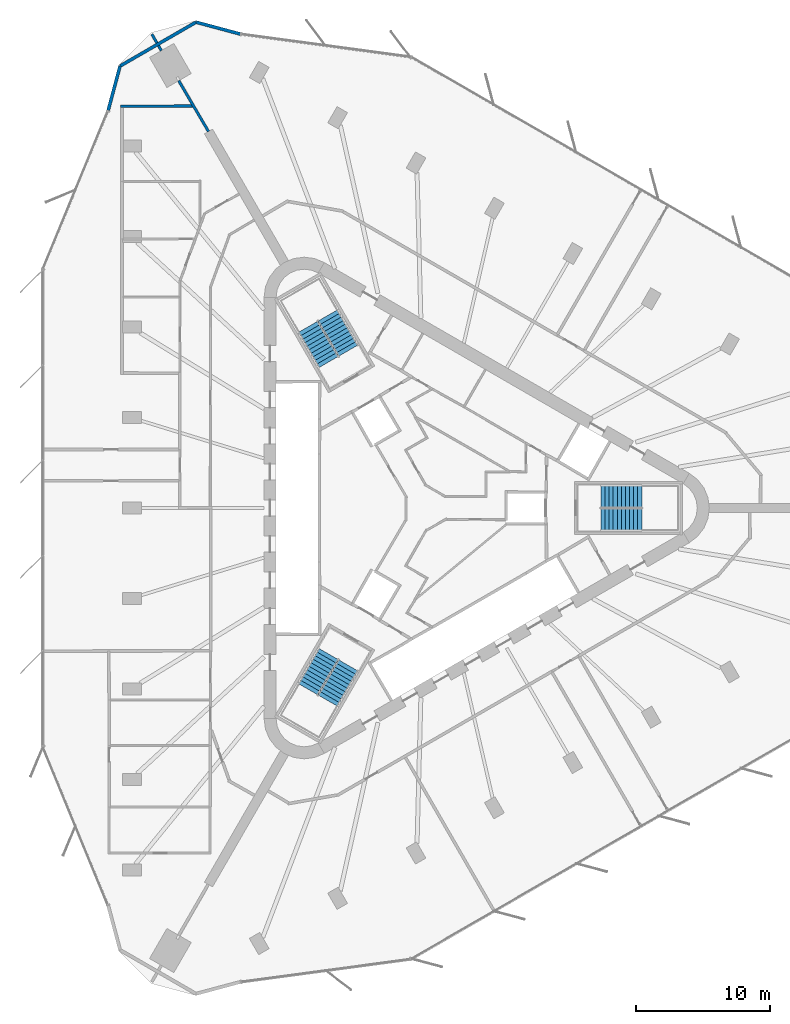
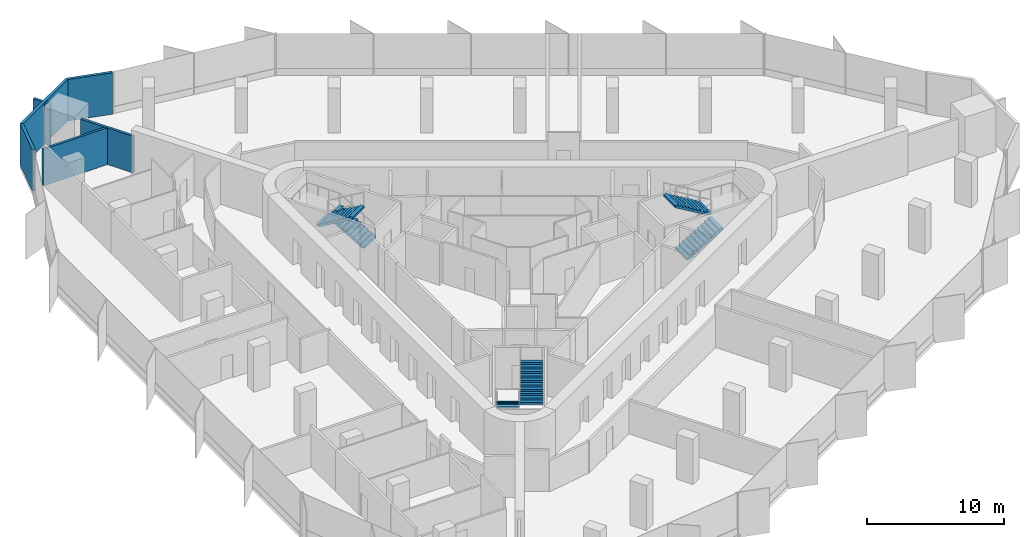
# One storey, part 13 of 14: 7 walls, 6 stair flights, 3 elements without a shape of their own.
"""IFC4 building model written with IfcOpenShell, lengths in metres."""

from ifc_helpers import new_model, si_unit, direction, frame, frame_2d, origin, place, context, subcontext, project, spatial, polyline, rectangle, outline, extrude, material, layer, layer_set, type_object, element, aggregate, save


model = new_model("IFC4")

# Units and contexts
model_context = context("Model", 3, precision=1e-05, world=origin(), true_north=direction((0.0, 1.0)))
body_context = subcontext(model_context, "Body", "Model", "MODEL_VIEW")
ifc_project = project(units=[si_unit("LENGTHUNIT", "METRE"), si_unit("AREAUNIT", "SQUARE_METRE"), si_unit("VOLUMEUNIT", "CUBIC_METRE"), si_unit("PLANEANGLEUNIT", "RADIAN"), si_unit("MASSUNIT", "GRAM", prefix="KILO")], contexts=[model_context])

# Site, building, storey
site_placement = place(None, origin())
site = spatial("IfcSite", under=ifc_project, at=site_placement, CompositionType="ELEMENT")
building_placement = place(site_placement, origin())
building = spatial("IfcBuilding", under=site, at=building_placement, Name="Tanit Gate Tower", CompositionType="ELEMENT")
storey_placement = place(building_placement, frame((0.0, 0.0, 229.199951171875)))
storey = spatial("IfcBuildingStorey", under=building, at=storey_placement, Name="L51", CompositionType="ELEMENT", Elevation=229.199951171875)

# Walls
ifc_material_1 = material(Name="Concrete C30/37 with bronze anodised aluminium cladding", Category="concrete")
ifc_layer_1 = layer(ifc_material_1, 0.239990234375)
ifc_layer_set_1 = layer_set([ifc_layer_1], Name="Facade wall bronze clad 240")
wall_type_1 = type_object("IfcWallType", Name="Facade wall bronze clad 240", PredefinedType="SOLIDWALL", material=ifc_layer_set_1)
wall_1_placement = place(storey_placement, frame((-13.86962890625, 35.449462890625, 0.0), z_axis=(0.0, 0.0, 1.0), x_axis=(-0.965919522093, 0.258842571536, 0.0)))
element("IfcWall", 1, at=wall_1_placement, inside=storey, type_object=wall_type_1, Name="Bronze-clad facade wall L51 NW.arc1", PredefinedType="SOLIDWALL", context=body_context, shape_type="SweptSolid", body=[
    extrude(rectangle(XDim=3.43798828125, YDim=0.239990234375, at=frame_2d((1.718994140625, 0.0))), origin(), (0.0, 0.0, 1.0), 3.699951171875),
])
wall_2_placement = place(storey_placement, frame((-17.1904296875, 36.33935546875, 0.0), z_axis=(0.0, 0.0, 1.0), x_axis=(-0.866012172048, -0.50002291734, 0.0)))
element("IfcWall", 2, at=wall_2_placement, inside=storey, type_object=wall_type_1, Name="Bronze-clad facade wall L51 NW.arc2", PredefinedType="SOLIDWALL", context=body_context, shape_type="SweptSolid", body=[
    extrude(rectangle(XDim=6.564697265625, YDim=0.239990234375, at=frame_2d((3.2822265625, 0.0))), origin(), (0.0, 0.0, 1.0), 3.699951171875),
])
wall_3_placement = place(storey_placement, frame((-22.87548828125, 33.056884765625, 0.0), z_axis=(0.0, 0.0, 1.0), x_axis=(-0.258842571536, -0.965919522093, 0.0)))
element("IfcWall", 3, at=wall_3_placement, inside=storey, type_object=wall_type_1, Name="Bronze-clad facade wall L51 NW.arc3", PredefinedType="SOLIDWALL", context=body_context, shape_type="SweptSolid", body=[
    extrude(rectangle(XDim=3.43798828125, YDim=0.239990234375, at=frame_2d((1.718994140625, 0.0))), origin(), (0.0, 0.0, 1.0), 3.699951171875),
])
ifc_material_2 = material(Name="Fire-rated gypsum board partition")
ifc_layer_2 = layer(ifc_material_2, 0.199951171875)
ifc_layer_set_2 = layer_set([ifc_layer_2], Name="INT-WALL-COMPARTMENT")
wall_type_2 = type_object("IfcWallType", Name="INT-WALL-COMPARTMENT", PredefinedType="PARTITIONING", material=ifc_layer_set_2)
wall_4_placement = place(storey_placement, frame((-20.49462890625, 35.437744140625, 0.0), z_axis=(0.0, 0.0, 1.0), x_axis=(0.500088105676, -0.865974529972, 0.0)))
element("IfcWall", 4, at=wall_4_placement, inside=storey, type_object=wall_type_2, Name="Wall Compartment W137", PredefinedType="PARTITIONING", context=body_context, shape_type="SweptSolid", body=[
    extrude(rectangle(XDim=0.751220703125, YDim=0.199951171875, at=frame_2d((0.37548828125, 0.0))), origin(), (0.0, 0.0, 1.0), 3.699951171875),
])
wall_5_placement = place(storey_placement, frame((-19.9990234375, 34.5791015625, 0.0), z_axis=(0.0, 0.0, 1.0), x_axis=(0.50001992892, -0.866013897511, 0.0)))
element("IfcWall", 5, at=wall_5_placement, inside=storey, type_object=wall_type_2, Name="Wall Compartment W137x1", PredefinedType="PARTITIONING", context=body_context, shape_type="SweptSolid", body=[
    extrude(rectangle(XDim=0.42626953125, YDim=0.199951171875, at=frame_2d((0.213134765625, 0.0))), origin(), (0.0, 0.0, 1.0), 3.699951171875),
])
wall_6_placement = place(storey_placement, frame((-18.48583984375, 31.958251953125, 0.0), z_axis=(0.0, 0.0, 1.0), x_axis=(0.505921624166, -0.86257945153, 0.0)))
element("IfcWall", 6, at=wall_6_placement, inside=storey, type_object=wall_type_2, Name="Wall Compartment W138", PredefinedType="PARTITIONING", context=body_context, shape_type="SweptSolid", body=[
    extrude(rectangle(XDim=4.4013671875, YDim=0.199951171875, at=frame_2d((2.20068359375, 0.0))), origin(), (0.0, 0.0, 1.0), 3.27001953125),
])
wall_7_placement = place(storey_placement, frame((-17.36083984375, 30.070068359375, 0.0), z_axis=(0.0, 0.0, 1.0), x_axis=(-0.999984432951, -0.005579772079, 0.0)))
element("IfcWall", 7, at=wall_7_placement, inside=storey, type_object=wall_type_2, Name="Wall Compartment W143", PredefinedType="PARTITIONING", context=body_context, shape_type="SweptSolid", body=[
    extrude(rectangle(XDim=5.46923828125, YDim=0.199951171875, at=frame_2d((2.734619140625, 0.0))), origin(), (0.0, 0.0, 1.0), 3.27001953125),
])

# Stair, stair flights
ifc_material_3 = material(Name="Concrete C40/50", Category="concrete")
stair_type = type_object("IfcStairType", Name="INT-STAIR-EXIT", PredefinedType="HALF_TURN_STAIR", material=ifc_material_3)
stair_1_placement = place(storey_placement, origin())
stair_1 = element("IfcStair", 8, at=stair_1_placement, inside=storey, type_object=stair_type, Name="L51 STAIR S1", PredefinedType="HALF_TURN_STAIR")
ifc_material_4 = material(Name="Concrete C40/50", Category="concrete")
stair_flight_type = type_object("IfcStairFlightType", Name="INT-STAIR-FLIGHT", PredefinedType="STRAIGHT", material=ifc_material_4)
stair_flight_1_placement = place(storey_placement, frame((13.094970703125, -0.8525390625, 0.0), z_axis=(0.0, 0.0, 1.0), x_axis=(1.0, 0.0, 0.0)))
stair_flight_1 = element("IfcStairFlight", 9, at=stair_flight_1_placement, type_object=stair_flight_type, Name="S1 flight 1", NumberOfRisers=11, NumberOfTreads=10, PredefinedType="STRAIGHT", RiserHeight=0.181818182, TreadLength=0.3051, context=body_context, shape_type="SweptSolid", body=[
    extrude(outline(polyline([(0.0, 0.0), (0.0, 0.181884765625), (0.30517578125, 0.181884765625), (0.30517578125, 0.363525390625), (0.610107421875, 0.363525390625), (0.610107421875, 0.54541015625), (0.915283203125, 0.54541015625), (0.915283203125, 0.727294921875), (1.220458984375, 0.727294921875), (1.220458984375, 0.9091796875), (1.525390625, 0.9091796875), (1.525390625, 1.0908203125), (1.83056640625, 1.0908203125), (1.83056640625, 1.272705078125), (2.1357421875, 1.272705078125), (2.1357421875, 1.45458984375), (2.44091796875, 1.45458984375), (2.44091796875, 1.636474609375), (2.745849609375, 1.636474609375), (2.745849609375, 1.818115234375), (3.051025390625, 1.818115234375), (3.051025390625, 2.0), (3.051025390625, 1.643798828125), (0.292724609375, 0.0), (0.0, 0.0)])), frame((0.0, 0.84765625, 0.0), z_axis=(0.0, -1.0, 0.0), x_axis=(1.0, 0.0, 0.0)), (0.0, 0.0, 1.0), 1.695068359375),
])
stair_flight_2_placement = place(storey_placement, frame((16.14599609375, 0.8525390625, 2.0), z_axis=(0.0, 0.0, 1.0), x_axis=(-1.0, 0.0, 0.0)))
stair_flight_2 = element("IfcStairFlight", 10, at=stair_flight_2_placement, type_object=stair_flight_type, Name="S1 flight 2", NumberOfRisers=11, NumberOfTreads=10, PredefinedType="STRAIGHT", RiserHeight=0.181818182, TreadLength=0.3051, context=body_context, shape_type="SweptSolid", body=[
    extrude(outline(polyline([(0.0, 0.0), (0.0, 0.181884765625), (0.30517578125, 0.181884765625), (0.30517578125, 0.363525390625), (0.610107421875, 0.363525390625), (0.610107421875, 0.54541015625), (0.915283203125, 0.54541015625), (0.915283203125, 0.727294921875), (1.220458984375, 0.727294921875), (1.220458984375, 0.9091796875), (1.525390625, 0.9091796875), (1.525390625, 1.0908203125), (1.83056640625, 1.0908203125), (1.83056640625, 1.272705078125), (2.1357421875, 1.272705078125), (2.1357421875, 1.45458984375), (2.44091796875, 1.45458984375), (2.44091796875, 1.636474609375), (2.745849609375, 1.636474609375), (2.745849609375, 1.818115234375), (3.051025390625, 1.818115234375), (3.051025390625, 2.0), (3.051025390625, 1.643798828125), (0.292724609375, 0.0), (0.0, 0.0)])), frame((0.0, 0.84765625, 0.0), z_axis=(0.0, -1.0, 0.0), x_axis=(1.0, 0.0, 0.0)), (0.0, 0.0, 1.0), 1.695068359375),
])
aggregate(stair_1, [stair_flight_1, stair_flight_2])

stair_2_placement = place(storey_placement, origin())
stair_2 = element("IfcStair", 11, at=stair_2_placement, inside=storey, type_object=stair_type, Name="L51 STAIR S2", PredefinedType="HALF_TURN_STAIR")
stair_flight_3_placement = place(storey_placement, frame((-5.808349609375, 11.766357421875, 0.0), z_axis=(0.0, 0.0, 1.0), x_axis=(-0.5, 0.866025403784, 0.0)))
stair_flight_3 = element("IfcStairFlight", 12, at=stair_flight_3_placement, type_object=stair_flight_type, Name="S2 flight 1", NumberOfRisers=11, NumberOfTreads=10, PredefinedType="STRAIGHT", RiserHeight=0.181818182, TreadLength=0.30492, context=body_context, shape_type="SweptSolid", body=[
    extrude(outline(polyline([(0.0, 0.0), (0.0, 0.181884765625), (0.304931640625, 0.181884765625), (0.304931640625, 0.363525390625), (0.60986328125, 0.363525390625), (0.60986328125, 0.54541015625), (0.914794921875, 0.54541015625), (0.914794921875, 0.727294921875), (1.2197265625, 0.727294921875), (1.2197265625, 0.9091796875), (1.524658203125, 0.9091796875), (1.524658203125, 1.0908203125), (1.82958984375, 1.0908203125), (1.82958984375, 1.272705078125), (2.134521484375, 1.272705078125), (2.134521484375, 1.45458984375), (2.439453125, 1.45458984375), (2.439453125, 1.636474609375), (2.744384765625, 1.636474609375), (2.744384765625, 1.818115234375), (3.04931640625, 1.818115234375), (3.04931640625, 2.0), (3.04931640625, 1.6435546875), (0.292724609375, 0.0), (0.0, 0.0)])), frame((0.0, 0.84716796875, 0.0), z_axis=(0.0, -1.0, 0.0), x_axis=(1.0, 0.0, 0.0)), (0.0, 0.0, 1.0), 1.694091796875),
])
stair_flight_4_placement = place(storey_placement, frame((-8.810302734375, 13.553955078125, 2.0), z_axis=(0.0, 0.0, 1.0), x_axis=(0.5, -0.866025403784, 0.0)))
stair_flight_4 = element("IfcStairFlight", 13, at=stair_flight_4_placement, type_object=stair_flight_type, Name="S2 flight 2", NumberOfRisers=11, NumberOfTreads=10, PredefinedType="STRAIGHT", RiserHeight=0.181818182, TreadLength=0.30492, context=body_context, shape_type="SweptSolid", body=[
    extrude(outline(polyline([(0.0, 0.0), (0.0, 0.181884765625), (0.304931640625, 0.181884765625), (0.304931640625, 0.363525390625), (0.60986328125, 0.363525390625), (0.60986328125, 0.54541015625), (0.914794921875, 0.54541015625), (0.914794921875, 0.727294921875), (1.2197265625, 0.727294921875), (1.2197265625, 0.9091796875), (1.524658203125, 0.9091796875), (1.524658203125, 1.0908203125), (1.82958984375, 1.0908203125), (1.82958984375, 1.272705078125), (2.134521484375, 1.272705078125), (2.134521484375, 1.45458984375), (2.439453125, 1.45458984375), (2.439453125, 1.636474609375), (2.744384765625, 1.636474609375), (2.744384765625, 1.818115234375), (3.04931640625, 1.818115234375), (3.04931640625, 2.0), (3.04931640625, 1.6435546875), (0.292724609375, 0.0), (0.0, 0.0)])), frame((0.0, 0.84716796875, 0.0), z_axis=(0.0, -1.0, 0.0), x_axis=(1.0, 0.0, 0.0)), (0.0, 0.0, 1.0), 1.694091796875),
])
aggregate(stair_2, [stair_flight_3, stair_flight_4])

stair_3_placement = place(storey_placement, origin())
stair_3 = element("IfcStair", 14, at=stair_3_placement, inside=storey, type_object=stair_type, Name="L51 STAIR S3", PredefinedType="HALF_TURN_STAIR")
stair_flight_5_placement = place(storey_placement, frame((-7.285888671875, -10.914306640625, 0.0), z_axis=(0.0, 0.0, 1.0), x_axis=(-0.5, -0.866025403784, 0.0)))
stair_flight_5 = element("IfcStairFlight", 15, at=stair_flight_5_placement, type_object=stair_flight_type, Name="S3 flight 1", NumberOfRisers=11, NumberOfTreads=10, PredefinedType="STRAIGHT", RiserHeight=0.181818182, TreadLength=0.3051, context=body_context, shape_type="SweptSolid", body=[
    extrude(outline(polyline([(0.0, 0.0), (0.0, 0.181884765625), (0.30517578125, 0.181884765625), (0.30517578125, 0.363525390625), (0.610107421875, 0.363525390625), (0.610107421875, 0.54541015625), (0.915283203125, 0.54541015625), (0.915283203125, 0.727294921875), (1.220458984375, 0.727294921875), (1.220458984375, 0.9091796875), (1.525390625, 0.9091796875), (1.525390625, 1.0908203125), (1.83056640625, 1.0908203125), (1.83056640625, 1.272705078125), (2.1357421875, 1.272705078125), (2.1357421875, 1.45458984375), (2.44091796875, 1.45458984375), (2.44091796875, 1.636474609375), (2.745849609375, 1.636474609375), (2.745849609375, 1.818115234375), (3.051025390625, 1.818115234375), (3.051025390625, 2.0), (3.051025390625, 1.643798828125), (0.292724609375, 0.0), (0.0, 0.0)])), frame((0.0, 0.84765625, 0.0), z_axis=(0.0, -1.0, 0.0), x_axis=(1.0, 0.0, 0.0)), (0.0, 0.0, 1.0), 1.695068359375),
])
stair_flight_6_placement = place(storey_placement, frame((-7.334716796875, -14.4091796875, 2.0), z_axis=(0.0, 0.0, 1.0), x_axis=(0.5, 0.866025403784, 0.0)))
stair_flight_6 = element("IfcStairFlight", 16, at=stair_flight_6_placement, type_object=stair_flight_type, Name="S3 flight 2", NumberOfRisers=11, NumberOfTreads=10, PredefinedType="STRAIGHT", RiserHeight=0.181818182, TreadLength=0.3051, context=body_context, shape_type="SweptSolid", body=[
    extrude(outline(polyline([(0.0, 0.0), (0.0, 0.181884765625), (0.30517578125, 0.181884765625), (0.30517578125, 0.363525390625), (0.610107421875, 0.363525390625), (0.610107421875, 0.54541015625), (0.915283203125, 0.54541015625), (0.915283203125, 0.727294921875), (1.220458984375, 0.727294921875), (1.220458984375, 0.9091796875), (1.525390625, 0.9091796875), (1.525390625, 1.0908203125), (1.83056640625, 1.0908203125), (1.83056640625, 1.272705078125), (2.1357421875, 1.272705078125), (2.1357421875, 1.45458984375), (2.44091796875, 1.45458984375), (2.44091796875, 1.636474609375), (2.745849609375, 1.636474609375), (2.745849609375, 1.818115234375), (3.051025390625, 1.818115234375), (3.051025390625, 2.0), (3.051025390625, 1.643798828125), (0.292724609375, 0.0), (0.0, 0.0)])), frame((0.0, 0.84765625, 0.0), z_axis=(0.0, -1.0, 0.0), x_axis=(1.0, 0.0, 0.0)), (0.0, 0.0, 1.0), 1.695068359375),
])
aggregate(stair_3, [stair_flight_5, stair_flight_6])

save(model, "model.ifc")
